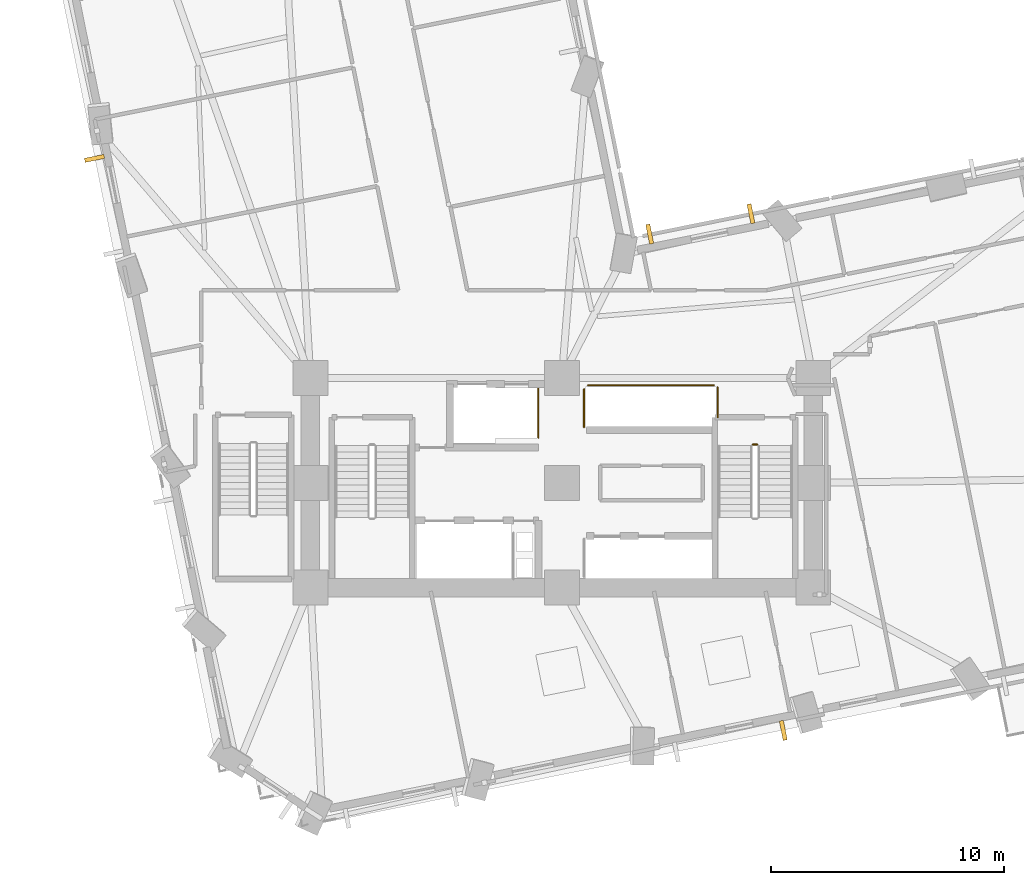
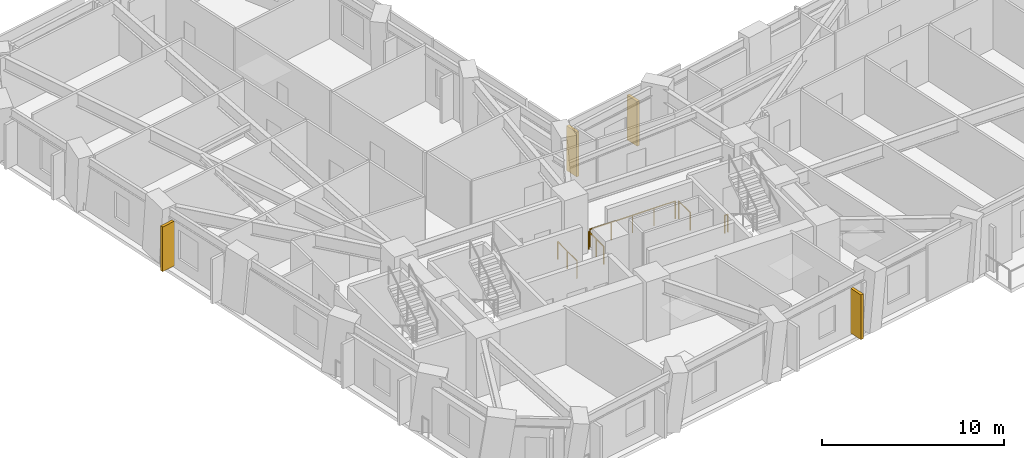
# One storey, part 13 of 16: 5 railings, 4 shading devices.
"""IFC4 building model written with IfcOpenShell, lengths in metres."""

from ifc_helpers import new_model, si_unit, direction, frame, origin, origin_2d, place, context, subcontext, project, spatial, rectangle, circle, extrude, material, type_object, element, save


model = new_model("IFC4")

# Units and contexts
model_context = context("Model", 3, precision=1e-05, world=origin(), true_north=direction((0.0, 1.0)))
body_context = subcontext(model_context, "Body", "Model", "MODEL_VIEW")
ifc_project = project(units=[si_unit("LENGTHUNIT", "METRE"), si_unit("AREAUNIT", "SQUARE_METRE"), si_unit("VOLUMEUNIT", "CUBIC_METRE"), si_unit("PLANEANGLEUNIT", "RADIAN"), si_unit("MASSUNIT", "GRAM", prefix="KILO")], contexts=[model_context])

# Site, building, storey
site_placement = place(None, origin())
site = spatial("IfcSite", under=ifc_project, at=site_placement, CompositionType="ELEMENT")
building_placement = place(site_placement, origin())
building = spatial("IfcBuilding", under=site, at=building_placement, Name="Gaonmaruhae Medical Tower", CompositionType="ELEMENT")
storey_placement = place(building_placement, frame((0.0, 0.0, 71.0)))
storey = spatial("IfcBuildingStorey", under=building, at=storey_placement, Name="L16", CompositionType="ELEMENT", Elevation=71.0)

# Shading devices
ifc_material_1 = material(Name="Pigmented coral precast concrete C45/55", Category="concrete")
shading_device_type = type_object("IfcShadingDeviceType", Name="SD-FIN1 Tower Vertical Coral Precast Shading Fin", PredefinedType="USERDEFINED", material=ifc_material_1)
for number, where, z_axis, x_axis, name in (
    (1, (34.31298828125, 1.669677734375, 0.08251953125), (0.0, 0.0, 1.0), (-0.980274624244, -0.197640231389, 0.0), "L16 Vertical Coral Precast Shading Fin S03"),
    (2, (28.576416015625, 22.986328125, 0.08251953125), (0.0, 0.0, 1.0), (0.980271174622, 0.197657340379, 0.0), "L16 Vertical Coral Precast Shading Fin EN04"),
    (3, (32.925048828125, 23.86328125, 0.08251953125), (0.0, 0.0, 1.0), (0.980271174622, 0.197657340379, 0.0), "L16 Vertical Coral Precast Shading Fin EN04B"),
    (4, (4.730712890625, 26.240234375, 0.08251953125), (0.0, 0.0, 1.0), (-0.197657340379, 0.980271174622, 0.0), "L16 Vertical Coral Precast Shading Fin W03B"),
):
    element("IfcShadingDevice", number, at=place(storey_placement, frame(where, z_axis=z_axis, x_axis=x_axis)), inside=storey, type_object=shading_device_type, Name=name, ObjectType="FIN", PredefinedType="USERDEFINED", context=body_context, shape_type="SweptSolid", body=[
        extrude(rectangle(XDim=0.179931640625, YDim=0.85009765625, at=origin_2d()), origin(), (0.0, 0.0, 1.0), 3.0),
    ])

# Railings
ifc_material_2 = material(Name="Stainless steel 304 balustrade", Category="steel")
railing_type = type_object("IfcRailingType", Name="SG-112 Stair Well & Ramp Void Safety Balustrade", PredefinedType="BALUSTRADE", material=ifc_material_2)
railing_1_placement = place(storey_placement, frame((33.0, 13.949951171875, 0.0)))
element("IfcRailing", 5, at=railing_1_placement, inside=storey, type_object=railing_type, Name="L16 ST-02 stair guard 4", PredefinedType="BALUSTRADE", context=body_context, shape_type="SweptSolid", body=[
    extrude(circle(Radius=0.02392578125, at=origin_2d()), frame((0.0, 0.0, 1.17578125), z_axis=(1.0, 0.0, 0.0), x_axis=(0.0, 1.0, 0.0)), (0.0, 0.0, 1.0), 0.199951171875),
    extrude(circle(Radius=0.02099609375, at=origin_2d()), origin(), (0.0, 0.0, 1.0), 1.15185546875),
    extrude(circle(Radius=0.02099609375, at=origin_2d()), frame((0.199951171875, 0.0, 0.0)), (0.0, 0.0, 1.0), 1.15185546875),
])
railing_2_placement = place(storey_placement, frame((23.794921875, 16.35498046875, 0.0)))
element("IfcRailing", 6, at=railing_2_placement, inside=storey, type_object=railing_type, Name="L16 Shaft Edge Safety Guard 18", PredefinedType="BALUSTRADE", context=body_context, shape_type="SweptSolid", body=[
    extrude(circle(Radius=0.02392578125, at=origin_2d()), frame((0.0, 0.0, 1.17578125), z_axis=(0.0, -1.0, 0.0), x_axis=(1.0, 0.0, 0.0)), (0.0, 0.0, 1.0), 2.10986328125),
    extrude(circle(Radius=0.02099609375, at=origin_2d()), origin(), (0.0, 0.0, 1.0), 1.15185546875),
    extrude(circle(Radius=0.02099609375, at=origin_2d()), frame((0.0, -1.054931640625, 0.0)), (0.0, 0.0, 1.0), 1.15185546875),
    extrude(circle(Radius=0.02099609375, at=origin_2d()), frame((0.0, -2.10986328125, 0.0)), (0.0, 0.0, 1.0), 1.15185546875),
])
railing_3_placement = place(storey_placement, frame((31.4951171875, 16.405029296875, 0.0)))
element("IfcRailing", 7, at=railing_3_placement, inside=storey, type_object=railing_type, Name="L16 Shaft Edge Safety Guard 19", PredefinedType="BALUSTRADE", context=body_context, shape_type="SweptSolid", body=[
    extrude(circle(Radius=0.02392578125, at=origin_2d()), frame((0.0, 0.0, 1.17578125), z_axis=(0.0, -1.0, 0.0), x_axis=(1.0, 0.0, 0.0)), (0.0, 0.0, 1.0), 1.284912109375),
    extrude(circle(Radius=0.02099609375, at=origin_2d()), origin(), (0.0, 0.0, 1.0), 1.15185546875),
    extrude(circle(Radius=0.02099609375, at=origin_2d()), frame((0.0, -1.284912109375, 0.0)), (0.0, 0.0, 1.0), 1.15185546875),
])
railing_4_placement = place(storey_placement, frame((25.7548828125, 14.695068359375, 0.0)))
element("IfcRailing", 8, at=railing_4_placement, inside=storey, type_object=railing_type, Name="L16 Shaft Edge Safety Guard 20", PredefinedType="BALUSTRADE", context=body_context, shape_type="SweptSolid", body=[
    extrude(circle(Radius=0.02392578125, at=origin_2d()), frame((0.0, 0.0, 1.17578125), z_axis=(0.0, 1.0, 0.0), x_axis=(-1.0, 0.0, 0.0)), (0.0, 0.0, 1.0), 1.635009765625),
    extrude(circle(Radius=0.02099609375, at=origin_2d()), origin(), (0.0, 0.0, 1.0), 1.15185546875),
    extrude(circle(Radius=0.02099609375, at=origin_2d()), frame((0.0, 0.8173828125, 0.0)), (0.0, 0.0, 1.0), 1.15185546875),
    extrude(circle(Radius=0.02099609375, at=origin_2d()), frame((0.0, 1.635009765625, 0.0)), (0.0, 0.0, 1.0), 1.15185546875),
])
railing_5_placement = place(storey_placement, frame((25.919921875, 16.4951171875, 0.0)))
element("IfcRailing", 9, at=railing_5_placement, inside=storey, type_object=railing_type, Name="L16 Shaft Edge Safety Guard 21", PredefinedType="BALUSTRADE", context=body_context, shape_type="SweptSolid", body=[
    extrude(circle(Radius=0.02392578125, at=origin_2d()), frame((0.0, 0.0, 1.17578125), z_axis=(1.0, 0.0, 0.0), x_axis=(0.0, 1.0, 0.0)), (0.0, 0.0, 1.0), 5.41015625),
    extrude(circle(Radius=0.02099609375, at=origin_2d()), origin(), (0.0, 0.0, 1.0), 1.15185546875),
    extrude(circle(Radius=0.02099609375, at=origin_2d()), frame((1.3525390625, 0.0, 0.0)), (0.0, 0.0, 1.0), 1.15185546875),
    extrude(circle(Radius=0.02099609375, at=origin_2d()), frame((2.705078125, 0.0, 0.0)), (0.0, 0.0, 1.0), 1.15185546875),
    extrude(circle(Radius=0.02099609375, at=origin_2d()), frame((4.0576171875, 0.0, 0.0)), (0.0, 0.0, 1.0), 1.15185546875),
    extrude(circle(Radius=0.02099609375, at=origin_2d()), frame((5.41015625, 0.0, 0.0)), (0.0, 0.0, 1.0), 1.15185546875),
])

save(model, "model.ifc")
